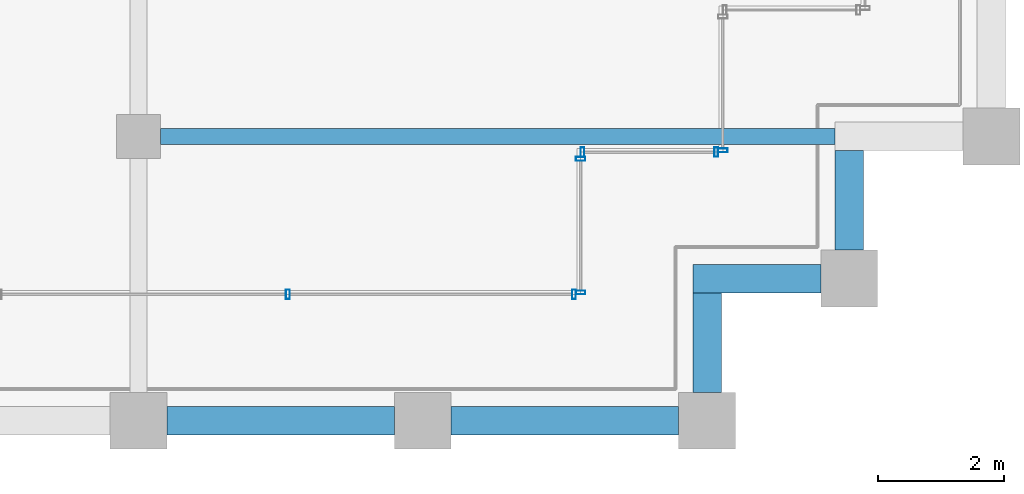
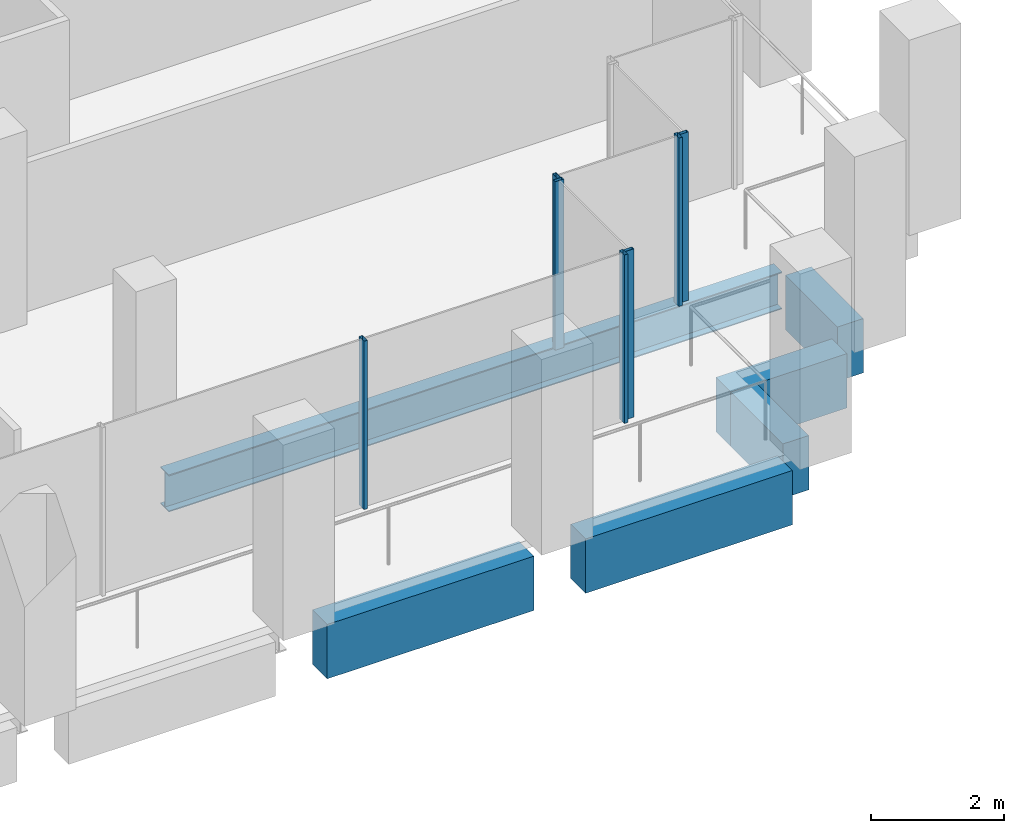
# One storey, part 12 of 40: 7 members, 6 beams, 4 elements without a shape of their own.
"""IFC4 building model written with IfcOpenShell, lengths in metres."""

from ifc_helpers import new_model, si_unit, direction, frame, origin, origin_2d, place, context, subcontext, project, spatial, rectangle, hollow_rectangle, i_section, extrude, material, material_profile, profile_set, type_object, element, aggregate, save


model = new_model("IFC4")

# Units and contexts
model_context = context("Model", 3, precision=1e-05, world=origin(), true_north=direction((0.0, 1.0)))
body_context = subcontext(model_context, "Body", "Model", "MODEL_VIEW")
ifc_project = project(units=[si_unit("LENGTHUNIT", "METRE"), si_unit("AREAUNIT", "SQUARE_METRE"), si_unit("VOLUMEUNIT", "CUBIC_METRE"), si_unit("PLANEANGLEUNIT", "RADIAN"), si_unit("MASSUNIT", "GRAM", prefix="KILO")], contexts=[model_context])

# Site, building, storey
site_placement = place(None, origin())
site = spatial("IfcSite", under=ifc_project, at=site_placement, CompositionType="ELEMENT")
building_placement = place(site_placement, origin())
building = spatial("IfcBuilding", under=site, at=building_placement, Name="Altepetl Exchange Towers", CompositionType="ELEMENT")
storey_placement = place(building_placement, frame((0.0, 0.0, 179.800048828125)))
storey = spatial("IfcBuildingStorey", under=building, at=storey_placement, Name="L45", CompositionType="ELEMENT", Elevation=179.800048828125)

# Beam
ifc_material_1 = material(Name="Steel S355", Category="steel")
ifc_material_profile_1 = material_profile(ifc_material_1, i_section(OverallWidth=0.25390625, OverallDepth=0.68408203125, WebThickness=0.012451171875, FlangeThickness=0.018798828125, at=origin_2d()), Name="W27X94")
ifc_profile_set_1 = profile_set([ifc_material_profile_1], Name="Steel S355")
beam_type_1 = type_object("IfcBeamType", Name="Floor beam W27X94", PredefinedType="BEAM", material=ifc_profile_set_1)
beam_1_placement = place(storey_placement, frame((58.85009765625, 31.5, -0.491943359375), z_axis=(1.0, 0.0, 0.0), x_axis=(0.0, 1.0, 0.0)))
element("IfcBeam", 1, at=beam_1_placement, inside=storey, type_object=beam_type_1, Name="bm:A:L45:006", PredefinedType="BEAM", context=body_context, shape_type="SweptSolid", body=[
    extrude(i_section(OverallWidth=0.25390625, OverallDepth=0.68408203125, WebThickness=0.012451171875, FlangeThickness=0.018798828125, at=origin_2d()), origin(), (0.0, 0.0, 1.0), 10.6748046875),
])

# Curtain wall, members
ifc_material_2 = material(Name="Aluminium 6063-T6 glazing", Category="aluminium")
curtain_wall_type = type_object("IfcCurtainWallType", Name="Loggia glazing system", PredefinedType="NOTDEFINED", material=ifc_material_2)
curtain_wall_1_placement = place(storey_placement, origin())
curtain_wall_1 = element("IfcCurtainWall", 2, at=curtain_wall_1_placement, inside=storey, type_object=curtain_wall_type, Name="CW1 run", PredefinedType="NOTDEFINED")
ifc_material_3 = material(Name="Aluminium 6063-T6", Category="aluminium")
ifc_material_profile_2 = material_profile(ifc_material_3, hollow_rectangle(XDim=0.06005859375, YDim=0.14990234375, WallThickness=0.0029296875, at=origin_2d()), Name="Mullion 60x150 aluminium")
ifc_profile_set_2 = profile_set([ifc_material_profile_2], Name="Aluminium 6063-T6")
member_type = type_object("IfcMemberType", Name="Mullion 60x150 aluminium", PredefinedType="MULLION", material=ifc_profile_set_2)
member_1_placement = place(storey_placement, frame((60.8642578125, 29.0, 0.0)))
member_1 = element("IfcMember", 3, at=member_1_placement, type_object=member_type, Name="MU1 mullion", PredefinedType="MULLION", context=body_context, shape_type="SweptSolid", body=[
    extrude(hollow_rectangle(XDim=0.06005859375, YDim=0.14990234375, WallThickness=0.0029296875, at=origin_2d()), origin(), (0.0, 0.0, 1.0), 3.099853515625),
])
member_2_placement = place(storey_placement, frame((65.39501953125, 29.0, 0.0)))
member_2 = element("IfcMember", 4, at=member_2_placement, type_object=member_type, Name="MU1 mullion", PredefinedType="MULLION", context=body_context, shape_type="SweptSolid", body=[
    extrude(hollow_rectangle(XDim=0.06005859375, YDim=0.14990234375, WallThickness=0.0029296875, at=origin_2d()), origin(), (0.0, 0.0, 1.0), 3.099853515625),
])
aggregate(curtain_wall_1, [member_1, member_2])

curtain_wall_2_placement = place(storey_placement, origin())
curtain_wall_2 = element("IfcCurtainWall", 5, at=curtain_wall_2_placement, inside=storey, type_object=curtain_wall_type, Name="CW1 run", PredefinedType="NOTDEFINED")
member_3_placement = place(storey_placement, frame((65.5, 29.030029296875, 0.0), z_axis=(0.0, 0.0, 1.0), x_axis=(0.0, 1.0, 0.0)))
member_3 = element("IfcMember", 6, at=member_3_placement, type_object=member_type, Name="MU1 mullion", PredefinedType="MULLION", context=body_context, shape_type="SweptSolid", body=[
    extrude(hollow_rectangle(XDim=0.06005859375, YDim=0.14990234375, WallThickness=0.0029296875, at=origin_2d()), origin(), (0.0, 0.0, 1.0), 3.099853515625),
])
member_4_placement = place(storey_placement, frame((65.5, 31.14501953125, 0.0), z_axis=(0.0, 0.0, 1.0), x_axis=(0.0, 1.0, 0.0)))
member_4 = element("IfcMember", 7, at=member_4_placement, type_object=member_type, Name="MU1 mullion", PredefinedType="MULLION", context=body_context, shape_type="SweptSolid", body=[
    extrude(hollow_rectangle(XDim=0.06005859375, YDim=0.14990234375, WallThickness=0.0029296875, at=origin_2d()), origin(), (0.0, 0.0, 1.0), 3.099853515625),
])
aggregate(curtain_wall_2, [member_3, member_4])

curtain_wall_3_placement = place(storey_placement, origin())
curtain_wall_3 = element("IfcCurtainWall", 8, at=curtain_wall_3_placement, inside=storey, type_object=curtain_wall_type, Name="CW1 run", PredefinedType="NOTDEFINED")
member_5_placement = place(storey_placement, frame((65.530029296875, 31.25, 0.0)))
member_5 = element("IfcMember", 9, at=member_5_placement, type_object=member_type, Name="MU1 mullion", PredefinedType="MULLION", context=body_context, shape_type="SweptSolid", body=[
    extrude(hollow_rectangle(XDim=0.06005859375, YDim=0.14990234375, WallThickness=0.0029296875, at=origin_2d()), origin(), (0.0, 0.0, 1.0), 3.099853515625),
])
member_6_placement = place(storey_placement, frame((67.64501953125, 31.25, 0.0)))
member_6 = element("IfcMember", 10, at=member_6_placement, type_object=member_type, Name="MU1 mullion", PredefinedType="MULLION", context=body_context, shape_type="SweptSolid", body=[
    extrude(hollow_rectangle(XDim=0.06005859375, YDim=0.14990234375, WallThickness=0.0029296875, at=origin_2d()), origin(), (0.0, 0.0, 1.0), 3.099853515625),
])
aggregate(curtain_wall_3, [member_5, member_6])

# Curtain wall, member
curtain_wall_4_placement = place(storey_placement, origin())
curtain_wall_4 = element("IfcCurtainWall", 11, at=curtain_wall_4_placement, inside=storey, type_object=curtain_wall_type, Name="CW1 run", PredefinedType="NOTDEFINED")
member_7_placement = place(storey_placement, frame((67.75, 31.280029296875, 0.0), z_axis=(0.0, 0.0, 1.0), x_axis=(0.0, 1.0, 0.0)))
member_7 = element("IfcMember", 12, at=member_7_placement, type_object=member_type, Name="MU1 mullion", PredefinedType="MULLION", context=body_context, shape_type="SweptSolid", body=[
    extrude(hollow_rectangle(XDim=0.06005859375, YDim=0.14990234375, WallThickness=0.0029296875, at=origin_2d()), origin(), (0.0, 0.0, 1.0), 3.099853515625),
])
aggregate(curtain_wall_4, [member_7])

# Beams
ifc_material_4 = material(Name="Concrete C50/60 precast with cantera amarilla facing", Category="concrete")
ifc_material_profile_3 = material_profile(ifc_material_4, rectangle(XDim=0.449951171875, YDim=1.0, at=origin_2d()), Name="450 x 1000")
ifc_profile_set_3 = profile_set([ifc_material_profile_3], Name="Concrete C50/60 precast with cantera amarilla facing")
beam_type_2 = type_object("IfcBeamType", Name="Spandrel beam 450x1000 cantera amarilla", PredefinedType="SPANDREL", material=ifc_profile_set_3)
for number, where, z_axis, x_axis, name in (
    (13, (58.949951171875, 27.0, -0.650146484375), (1.0, 0.0, 0.0), (0.0, 1.0, 0.0), "sp:A:L45:006"),
    (14, (63.449951171875, 27.0, -0.650146484375), (1.0, 0.0, 0.0), (0.0, 1.0, 0.0), "sp:A:L45:007"),
):
    element("IfcBeam", number, at=place(storey_placement, frame(where, z_axis=z_axis, x_axis=x_axis)), inside=storey, type_object=beam_type_2, Name=name, PredefinedType="SPANDREL", context=body_context, shape_type="SweptSolid", body=[
        extrude(rectangle(XDim=0.449951171875, YDim=1.0, at=origin_2d()), origin(), (0.0, 0.0, 1.0), 3.60009765625),
    ])
beam_2_placement = place(storey_placement, frame((67.5, 27.449951171875, -0.650146484375), z_axis=(0.0, 1.0, 0.0), x_axis=(-1.0, 0.0, 0.0)))
element("IfcBeam", 15, at=beam_2_placement, inside=storey, type_object=beam_type_2, Name="sp:A:L45:008", PredefinedType="SPANDREL", context=body_context, shape_type="SweptSolid", body=[
    extrude(rectangle(XDim=0.449951171875, YDim=1.0, at=origin_2d()), origin(), (0.0, 0.0, 1.0), 1.574951171875),
])
beam_3_placement = place(storey_placement, frame((67.27490234375, 29.25, -0.650146484375), z_axis=(1.0, 0.0, 0.0), x_axis=(0.0, 1.0, 0.0)))
element("IfcBeam", 16, at=beam_3_placement, inside=storey, type_object=beam_type_2, Name="sp:A:L45:009", PredefinedType="SPANDREL", context=body_context, shape_type="SweptSolid", body=[
    extrude(rectangle(XDim=0.449951171875, YDim=1.0, at=origin_2d()), origin(), (0.0, 0.0, 1.0), 2.025146484375),
])
beam_4_placement = place(storey_placement, frame((69.75, 29.699951171875, -0.650146484375), z_axis=(0.0, 1.0, 0.0), x_axis=(-1.0, 0.0, 0.0)))
element("IfcBeam", 17, at=beam_4_placement, inside=storey, type_object=beam_type_2, Name="sp:A:L45:010", PredefinedType="SPANDREL", context=body_context, shape_type="SweptSolid", body=[
    extrude(rectangle(XDim=0.449951171875, YDim=1.0, at=origin_2d()), origin(), (0.0, 0.0, 1.0), 1.574951171875),
])

save(model, "model.ifc")
